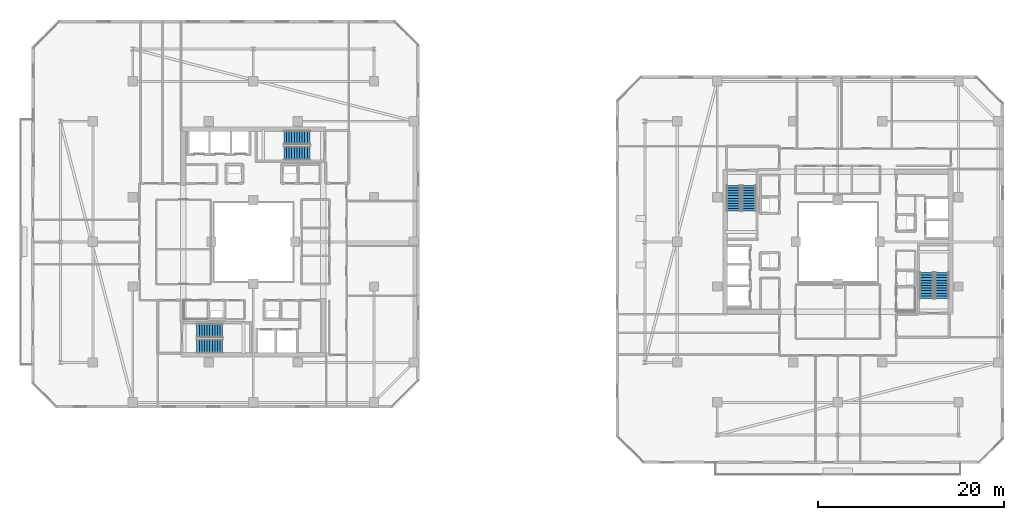
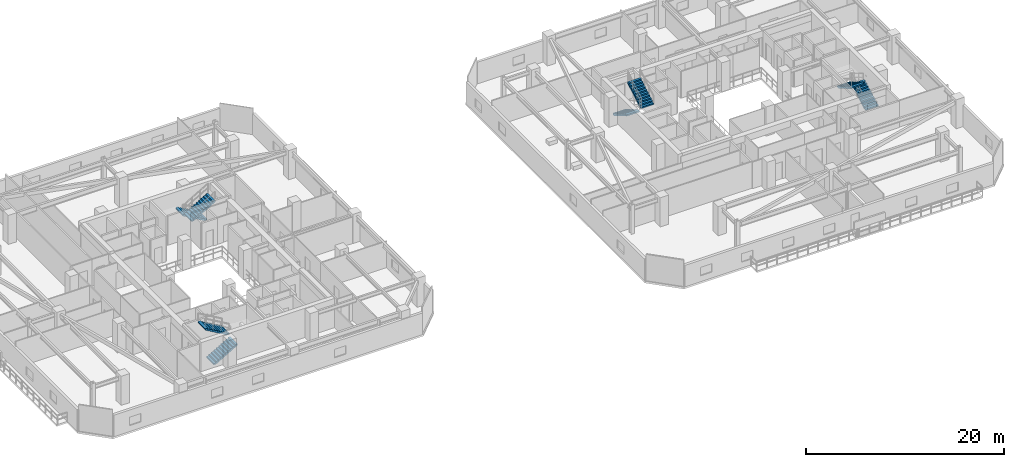
# One storey, part 27 of 33: 8 stair flights, 4 elements without a shape of their own.
"""IFC4 building model written with IfcOpenShell, lengths in metres."""

from ifc_helpers import new_model, si_unit, direction, frame, origin, place, context, subcontext, project, spatial, polyline, outline, extrude, material, type_object, element, aggregate, save


model = new_model("IFC4")

# Units and contexts
model_context = context("Model", 3, precision=1e-05, world=origin(), true_north=direction((0.0, 1.0)))
body_context = subcontext(model_context, "Body", "Model", "MODEL_VIEW")
ifc_project = project(units=[si_unit("LENGTHUNIT", "METRE"), si_unit("AREAUNIT", "SQUARE_METRE"), si_unit("VOLUMEUNIT", "CUBIC_METRE"), si_unit("PLANEANGLEUNIT", "RADIAN"), si_unit("MASSUNIT", "GRAM", prefix="KILO")], contexts=[model_context])

# Site, building, storey
site_placement = place(None, origin())
site = spatial("IfcSite", under=ifc_project, at=site_placement, CompositionType="ELEMENT")
building_placement = place(site_placement, origin())
building = spatial("IfcBuilding", under=site, at=building_placement, Name="Thornwick Lancets Civic Towers", CompositionType="ELEMENT")
storey_placement = place(building_placement, frame((0.0, 0.0, 218.10009765625)))
storey = spatial("IfcBuildingStorey", under=building, at=storey_placement, Name="L58", CompositionType="ELEMENT", Elevation=218.10009765625)

# Stair, stair flights
ifc_material = material(Name="Concrete C40/50", Category="concrete")
stair_type = type_object("IfcStairType", Name="STAIR_DL_3600", PredefinedType="HALF_TURN_STAIR", material=ifc_material)
stair_1_placement = place(storey_placement, origin())
stair_1 = element("IfcStair", 1, at=stair_1_placement, inside=storey, type_object=stair_type, Name="L58 Tower A South Exit Stair ST-A1", PredefinedType="HALF_TURN_STAIR")
stair_flight_type = type_object("IfcStairFlightType", Name="FLIGHT_3600", PredefinedType="STRAIGHT", material=ifc_material)
stair_flight_1_placement = place(storey_placement, frame((19.39990234375, 15.75, 0.0), z_axis=(0.0, 0.0, 1.0), x_axis=(1.0, 0.0, 0.0)))
stair_flight_1 = element("IfcStairFlight", 2, at=stair_flight_1_placement, type_object=stair_flight_type, Name="ST-A1 flight 1", NumberOfRisers=11, NumberOfTreads=10, PredefinedType="STRAIGHT", RiserHeight=0.163636364, TreadLength=0.28, context=body_context, shape_type="SweptSolid", body=[
    extrude(outline(polyline([(0.0, 0.0), (0.0, 0.16357421875), (0.280029296875, 0.16357421875), (0.280029296875, 0.327392578125), (0.56005859375, 0.327392578125), (0.56005859375, 0.490966796875), (0.840087890625, 0.490966796875), (0.840087890625, 0.654541015625), (1.1201171875, 0.654541015625), (1.1201171875, 0.818115234375), (1.39990234375, 0.818115234375), (1.39990234375, 0.98193359375), (1.679931640625, 0.98193359375), (1.679931640625, 1.1455078125), (1.9599609375, 1.1455078125), (1.9599609375, 1.30908203125), (2.239990234375, 1.30908203125), (2.239990234375, 1.47265625), (2.52001953125, 1.47265625), (2.52001953125, 1.636474609375), (2.800048828125, 1.636474609375), (2.800048828125, 1.800048828125), (2.800048828125, 1.462646484375), (0.297119140625, 0.0), (0.0, 0.0)])), frame((0.0, 0.75, 0.0), z_axis=(0.0, -1.0, 0.0), x_axis=(1.0, 0.0, 0.0)), (0.0, 0.0, 1.0), 1.5),
])
stair_flight_2_placement = place(storey_placement, frame((22.199951171875, 17.449951171875, 1.7998046875), z_axis=(0.0, 0.0, 1.0), x_axis=(-1.0, 0.0, 0.0)))
stair_flight_2 = element("IfcStairFlight", 3, at=stair_flight_2_placement, type_object=stair_flight_type, Name="ST-A1 flight 2", NumberOfRisers=11, NumberOfTreads=10, PredefinedType="STRAIGHT", RiserHeight=0.163636364, TreadLength=0.28, context=body_context, shape_type="SweptSolid", body=[
    extrude(outline(polyline([(0.0, 0.0), (0.0, 0.16357421875), (0.280029296875, 0.16357421875), (0.280029296875, 0.327392578125), (0.56005859375, 0.327392578125), (0.56005859375, 0.490966796875), (0.840087890625, 0.490966796875), (0.840087890625, 0.654541015625), (1.1201171875, 0.654541015625), (1.1201171875, 0.818115234375), (1.39990234375, 0.818115234375), (1.39990234375, 0.98193359375), (1.679931640625, 0.98193359375), (1.679931640625, 1.1455078125), (1.9599609375, 1.1455078125), (1.9599609375, 1.30908203125), (2.239990234375, 1.30908203125), (2.239990234375, 1.47265625), (2.52001953125, 1.47265625), (2.52001953125, 1.636474609375), (2.800048828125, 1.636474609375), (2.800048828125, 1.800048828125), (2.800048828125, 1.462646484375), (0.297119140625, 0.0), (0.0, 0.0)])), frame((0.0, 0.75, 0.0), z_axis=(0.0, -1.0, 0.0), x_axis=(1.0, 0.0, 0.0)), (0.0, 0.0, 1.0), 1.5),
])
aggregate(stair_1, [stair_flight_1, stair_flight_2])

stair_2_placement = place(storey_placement, origin())
stair_2 = element("IfcStair", 4, at=stair_2_placement, inside=storey, type_object=stair_type, Name="L58 Tower A North Exit Stair ST-A2", PredefinedType="HALF_TURN_STAIR")
stair_flight_3_placement = place(storey_placement, frame((31.60009765625, 38.25, 0.0), z_axis=(0.0, 0.0, 1.0), x_axis=(-1.0, 0.0, 0.0)))
stair_flight_3 = element("IfcStairFlight", 5, at=stair_flight_3_placement, type_object=stair_flight_type, Name="ST-A2 flight 1", NumberOfRisers=11, NumberOfTreads=10, PredefinedType="STRAIGHT", RiserHeight=0.163636364, TreadLength=0.28, context=body_context, shape_type="SweptSolid", body=[
    extrude(outline(polyline([(0.0, 0.0), (0.0, 0.16357421875), (0.280029296875, 0.16357421875), (0.280029296875, 0.327392578125), (0.56005859375, 0.327392578125), (0.56005859375, 0.490966796875), (0.840087890625, 0.490966796875), (0.840087890625, 0.654541015625), (1.1201171875, 0.654541015625), (1.1201171875, 0.818115234375), (1.39990234375, 0.818115234375), (1.39990234375, 0.98193359375), (1.679931640625, 0.98193359375), (1.679931640625, 1.1455078125), (1.9599609375, 1.1455078125), (1.9599609375, 1.30908203125), (2.239990234375, 1.30908203125), (2.239990234375, 1.47265625), (2.52001953125, 1.47265625), (2.52001953125, 1.636474609375), (2.800048828125, 1.636474609375), (2.800048828125, 1.800048828125), (2.800048828125, 1.462646484375), (0.297119140625, 0.0), (0.0, 0.0)])), frame((0.0, 0.75, 0.0), z_axis=(0.0, -1.0, 0.0), x_axis=(1.0, 0.0, 0.0)), (0.0, 0.0, 1.0), 1.5),
])
stair_flight_4_placement = place(storey_placement, frame((28.800048828125, 36.550048828125, 1.7998046875), z_axis=(0.0, 0.0, 1.0), x_axis=(1.0, 0.0, 0.0)))
stair_flight_4 = element("IfcStairFlight", 6, at=stair_flight_4_placement, type_object=stair_flight_type, Name="ST-A2 flight 2", NumberOfRisers=11, NumberOfTreads=10, PredefinedType="STRAIGHT", RiserHeight=0.163636364, TreadLength=0.28, context=body_context, shape_type="SweptSolid", body=[
    extrude(outline(polyline([(0.0, 0.0), (0.0, 0.16357421875), (0.280029296875, 0.16357421875), (0.280029296875, 0.327392578125), (0.56005859375, 0.327392578125), (0.56005859375, 0.490966796875), (0.840087890625, 0.490966796875), (0.840087890625, 0.654541015625), (1.1201171875, 0.654541015625), (1.1201171875, 0.818115234375), (1.39990234375, 0.818115234375), (1.39990234375, 0.98193359375), (1.679931640625, 0.98193359375), (1.679931640625, 1.1455078125), (1.9599609375, 1.1455078125), (1.9599609375, 1.30908203125), (2.239990234375, 1.30908203125), (2.239990234375, 1.47265625), (2.52001953125, 1.47265625), (2.52001953125, 1.636474609375), (2.800048828125, 1.636474609375), (2.800048828125, 1.800048828125), (2.800048828125, 1.462646484375), (0.297119140625, 0.0), (0.0, 0.0)])), frame((0.0, 0.75, 0.0), z_axis=(0.0, -1.0, 0.0), x_axis=(1.0, 0.0, 0.0)), (0.0, 0.0, 1.0), 1.5),
])
aggregate(stair_2, [stair_flight_3, stair_flight_4])

stair_3_placement = place(storey_placement, origin())
stair_3 = element("IfcStair", 7, at=stair_3_placement, inside=storey, type_object=stair_type, Name="L58 Tower B East Exit Stair ST-B1", PredefinedType="HALF_TURN_STAIR")
stair_flight_5_placement = place(storey_placement, frame((99.75, 20.89990234375, 0.0), z_axis=(0.0, 0.0, 1.0), x_axis=(0.0, 1.0, 0.0)))
stair_flight_5 = element("IfcStairFlight", 8, at=stair_flight_5_placement, type_object=stair_flight_type, Name="ST-B1 flight 1", NumberOfRisers=11, NumberOfTreads=10, PredefinedType="STRAIGHT", RiserHeight=0.163636364, TreadLength=0.28, context=body_context, shape_type="SweptSolid", body=[
    extrude(outline(polyline([(0.0, 0.0), (0.0, 0.16357421875), (0.280029296875, 0.16357421875), (0.280029296875, 0.327392578125), (0.56005859375, 0.327392578125), (0.56005859375, 0.490966796875), (0.840087890625, 0.490966796875), (0.840087890625, 0.654541015625), (1.1201171875, 0.654541015625), (1.1201171875, 0.818115234375), (1.39990234375, 0.818115234375), (1.39990234375, 0.98193359375), (1.679931640625, 0.98193359375), (1.679931640625, 1.1455078125), (1.9599609375, 1.1455078125), (1.9599609375, 1.30908203125), (2.239990234375, 1.30908203125), (2.239990234375, 1.47265625), (2.52001953125, 1.47265625), (2.52001953125, 1.636474609375), (2.800048828125, 1.636474609375), (2.800048828125, 1.800048828125), (2.800048828125, 1.462646484375), (0.297119140625, 0.0), (0.0, 0.0)])), frame((0.0, 0.75, 0.0), z_axis=(0.0, -1.0, 0.0), x_axis=(1.0, 0.0, 0.0)), (0.0, 0.0, 1.0), 1.5),
])
stair_flight_6_placement = place(storey_placement, frame((98.050048828125, 23.699951171875, 1.7998046875), z_axis=(0.0, 0.0, 1.0), x_axis=(0.0, -1.0, 0.0)))
stair_flight_6 = element("IfcStairFlight", 9, at=stair_flight_6_placement, type_object=stair_flight_type, Name="ST-B1 flight 2", NumberOfRisers=11, NumberOfTreads=10, PredefinedType="STRAIGHT", RiserHeight=0.163636364, TreadLength=0.28, context=body_context, shape_type="SweptSolid", body=[
    extrude(outline(polyline([(0.0, 0.0), (0.0, 0.16357421875), (0.280029296875, 0.16357421875), (0.280029296875, 0.327392578125), (0.56005859375, 0.327392578125), (0.56005859375, 0.490966796875), (0.840087890625, 0.490966796875), (0.840087890625, 0.654541015625), (1.1201171875, 0.654541015625), (1.1201171875, 0.818115234375), (1.39990234375, 0.818115234375), (1.39990234375, 0.98193359375), (1.679931640625, 0.98193359375), (1.679931640625, 1.1455078125), (1.9599609375, 1.1455078125), (1.9599609375, 1.30908203125), (2.239990234375, 1.30908203125), (2.239990234375, 1.47265625), (2.52001953125, 1.47265625), (2.52001953125, 1.636474609375), (2.800048828125, 1.636474609375), (2.800048828125, 1.800048828125), (2.800048828125, 1.462646484375), (0.297119140625, 0.0), (0.0, 0.0)])), frame((0.0, 0.75, 0.0), z_axis=(0.0, -1.0, 0.0), x_axis=(1.0, 0.0, 0.0)), (0.0, 0.0, 1.0), 1.5),
])
aggregate(stair_3, [stair_flight_5, stair_flight_6])

stair_4_placement = place(storey_placement, origin())
stair_4 = element("IfcStair", 10, at=stair_4_placement, inside=storey, type_object=stair_type, Name="L58 Tower B West Exit Stair ST-B2", PredefinedType="HALF_TURN_STAIR")
stair_flight_7_placement = place(storey_placement, frame((77.25, 33.10009765625, 0.0), z_axis=(0.0, 0.0, 1.0), x_axis=(0.0, -1.0, 0.0)))
stair_flight_7 = element("IfcStairFlight", 11, at=stair_flight_7_placement, type_object=stair_flight_type, Name="ST-B2 flight 1", NumberOfRisers=11, NumberOfTreads=10, PredefinedType="STRAIGHT", RiserHeight=0.163636364, TreadLength=0.28, context=body_context, shape_type="SweptSolid", body=[
    extrude(outline(polyline([(0.0, 0.0), (0.0, 0.16357421875), (0.280029296875, 0.16357421875), (0.280029296875, 0.327392578125), (0.56005859375, 0.327392578125), (0.56005859375, 0.490966796875), (0.840087890625, 0.490966796875), (0.840087890625, 0.654541015625), (1.1201171875, 0.654541015625), (1.1201171875, 0.818115234375), (1.39990234375, 0.818115234375), (1.39990234375, 0.98193359375), (1.679931640625, 0.98193359375), (1.679931640625, 1.1455078125), (1.9599609375, 1.1455078125), (1.9599609375, 1.30908203125), (2.239990234375, 1.30908203125), (2.239990234375, 1.47265625), (2.52001953125, 1.47265625), (2.52001953125, 1.636474609375), (2.800048828125, 1.636474609375), (2.800048828125, 1.800048828125), (2.800048828125, 1.462646484375), (0.297119140625, 0.0), (0.0, 0.0)])), frame((0.0, 0.75, 0.0), z_axis=(0.0, -1.0, 0.0), x_axis=(1.0, 0.0, 0.0)), (0.0, 0.0, 1.0), 1.5),
])
stair_flight_8_placement = place(storey_placement, frame((78.949951171875, 30.300048828125, 1.7998046875), z_axis=(0.0, 0.0, 1.0), x_axis=(0.0, 1.0, 0.0)))
stair_flight_8 = element("IfcStairFlight", 12, at=stair_flight_8_placement, type_object=stair_flight_type, Name="ST-B2 flight 2", NumberOfRisers=11, NumberOfTreads=10, PredefinedType="STRAIGHT", RiserHeight=0.163636364, TreadLength=0.28, context=body_context, shape_type="SweptSolid", body=[
    extrude(outline(polyline([(0.0, 0.0), (0.0, 0.16357421875), (0.280029296875, 0.16357421875), (0.280029296875, 0.327392578125), (0.56005859375, 0.327392578125), (0.56005859375, 0.490966796875), (0.840087890625, 0.490966796875), (0.840087890625, 0.654541015625), (1.1201171875, 0.654541015625), (1.1201171875, 0.818115234375), (1.39990234375, 0.818115234375), (1.39990234375, 0.98193359375), (1.679931640625, 0.98193359375), (1.679931640625, 1.1455078125), (1.9599609375, 1.1455078125), (1.9599609375, 1.30908203125), (2.239990234375, 1.30908203125), (2.239990234375, 1.47265625), (2.52001953125, 1.47265625), (2.52001953125, 1.636474609375), (2.800048828125, 1.636474609375), (2.800048828125, 1.800048828125), (2.800048828125, 1.462646484375), (0.297119140625, 0.0), (0.0, 0.0)])), frame((0.0, 0.75, 0.0), z_axis=(0.0, -1.0, 0.0), x_axis=(1.0, 0.0, 0.0)), (0.0, 0.0, 1.0), 1.5),
])
aggregate(stair_4, [stair_flight_7, stair_flight_8])

save(model, "model.ifc")
